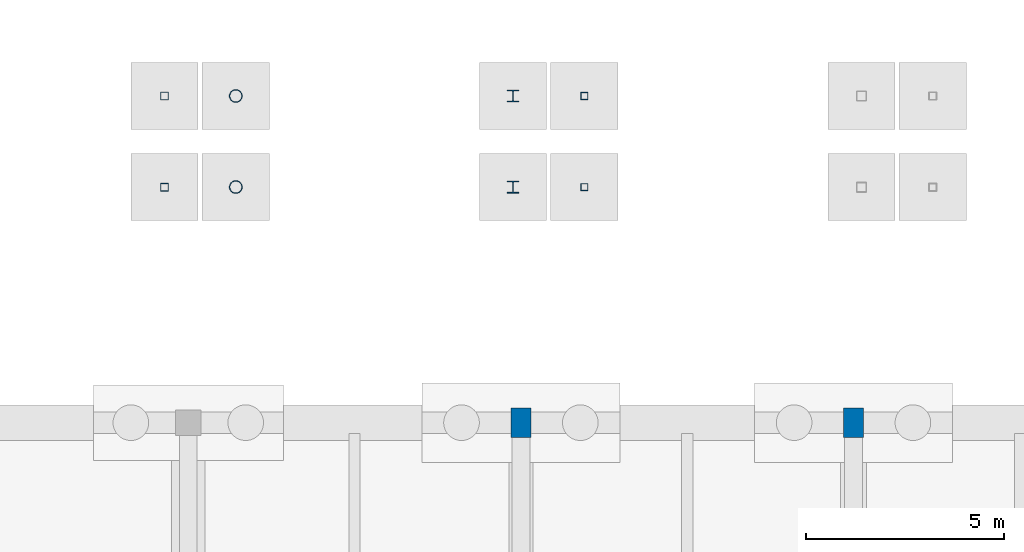
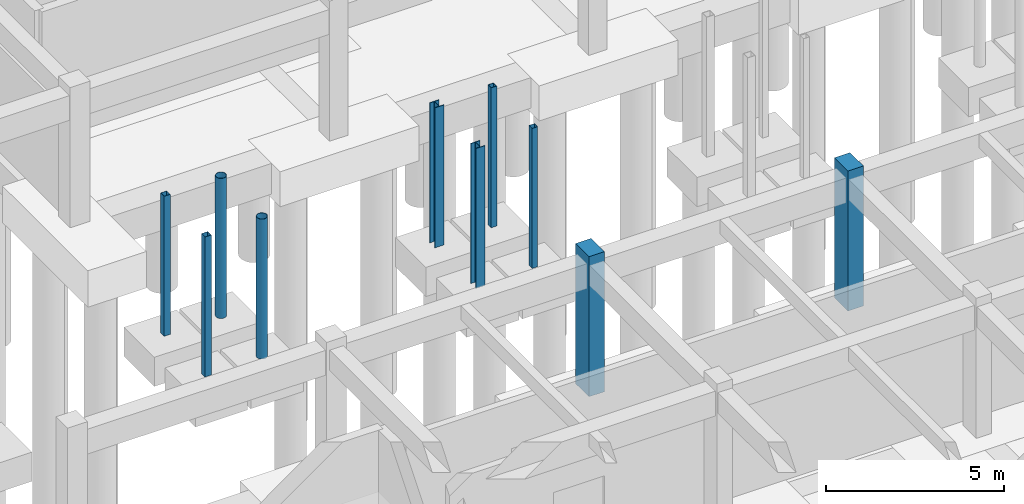
# One storey, part 18 of 80: 10 columns.
"""IFC4 building model written with IfcOpenShell, lengths in metres."""

from ifc_helpers import new_model, si_unit, direction, frame, origin, origin_2d, place, context, subcontext, project, spatial, rectangle, hollow_rectangle, hollow_circle, i_section, extrude, material, material_profile, profile_set, type_object, element, save


model = new_model("IFC4")

# Units and contexts
model_context = context("Model", 3, precision=1e-05, world=origin(), true_north=direction((0.0, 1.0)))
body_context = subcontext(model_context, "Body", "Model", "MODEL_VIEW")
ifc_project = project(units=[si_unit("LENGTHUNIT", "METRE"), si_unit("AREAUNIT", "SQUARE_METRE"), si_unit("VOLUMEUNIT", "CUBIC_METRE"), si_unit("PLANEANGLEUNIT", "RADIAN"), si_unit("MASSUNIT", "GRAM", prefix="KILO")], contexts=[model_context])

# Site, building, storey
site_placement = place(None, origin())
site = spatial("IfcSite", under=ifc_project, at=site_placement, CompositionType="ELEMENT")
building_placement = place(site_placement, origin())
building = spatial("IfcBuilding", under=site, at=building_placement, Name="Malvenik Polytechnic", CompositionType="ELEMENT")
storey_placement = place(building_placement, frame((0.0, 0.0, -4.800048828125)))
storey = spatial("IfcBuildingStorey", under=building, at=storey_placement, Name="B1", CompositionType="ELEMENT", Elevation=-4.800048828125)

# Columns
ifc_material_1 = material(Name="Concrete C35/45", Category="concrete")
ifc_material_profile_1 = material_profile(ifc_material_1, rectangle(XDim=0.5, YDim=0.75, at=origin_2d()), Name="RC COL 750x500")
ifc_profile_set_1 = profile_set([ifc_material_profile_1], Name="Concrete C35/45")
column_type_1 = type_object("IfcColumnType", Name="STR-COL-C-14", PredefinedType="COLUMN", material=ifc_profile_set_1)
for number, where, z_axis, x_axis, name in (
    (1, (42.0, 36.0, 0.0), (0.0, 0.0, 1.0), (1.0, 0.0, 0.0), "Column C-14 B1 (42.0,36.0)"),
    (2, (50.39990234375, 36.0, 0.0), (0.0, 0.0, 1.0), (1.0, 0.0, 0.0), "Column C-14 B1 (50.4,36.0)"),
):
    element("IfcColumn", number, at=place(storey_placement, frame(where, z_axis=z_axis, x_axis=x_axis)), inside=storey, type_object=column_type_1, Name=name, PredefinedType="COLUMN", context=body_context, shape_type="SweptSolid", body=[
        extrude(rectangle(XDim=0.5, YDim=0.75, at=origin_2d()), origin(), (0.0, 0.0, 1.0), 4.800048828125),
    ])
ifc_material_2 = material(Name="Steel S355J2H", Category="steel")
ifc_material_profile_2 = material_profile(ifc_material_2, hollow_rectangle(XDim=0.199951171875, YDim=0.199951171875, WallThickness=0.010009765625, at=origin_2d()), Name="SHS 200x200x10.0")
ifc_profile_set_2 = profile_set([ifc_material_profile_2], Name="Steel S355J2H")
column_type_2 = type_object("IfcColumnType", Name="STR-SCOL-SC-02", PredefinedType="COLUMN", material=ifc_profile_set_2)
for number, where, z_axis, x_axis, name in (
    (3, (33.0, 41.949951171875, 0.0), (0.0, 0.0, 1.0), (1.0, 0.0, 0.0), "Bridge-Ramp Support Column SC-02 B1"),
    (4, (33.0, 44.25, 0.0), (0.0, 0.0, 1.0), (1.0, 0.0, 0.0), "Bridge-Ramp Support Column SC-02 B1"),
):
    element("IfcColumn", number, at=place(storey_placement, frame(where, z_axis=z_axis, x_axis=x_axis)), inside=storey, type_object=column_type_2, Name=name, PredefinedType="COLUMN", context=body_context, shape_type="SweptSolid", body=[
        extrude(hollow_rectangle(XDim=0.199951171875, YDim=0.199951171875, WallThickness=0.010009765625, at=origin_2d()), origin(), (0.0, 0.0, 1.0), 4.800048828125),
    ])
ifc_material_profile_3 = material_profile(ifc_material_2, hollow_circle(Radius=0.161865234375, WallThickness=0.012451171875, at=origin_2d()), Name="CHS 323.9x12.5")
ifc_profile_set_3 = profile_set([ifc_material_profile_3], Name="Steel S355J2H")
column_type_3 = type_object("IfcColumnType", Name="STR-SCOL-SC-04", PredefinedType="COLUMN", material=ifc_profile_set_3)
for number, where, z_axis, x_axis, name in (
    (5, (34.800048828125, 41.949951171875, 0.0), (0.0, 0.0, 1.0), (1.0, 0.0, 0.0), "Bridge-Ramp Support Column SC-04 B1"),
    (6, (34.800048828125, 44.25, 0.0), (0.0, 0.0, 1.0), (1.0, 0.0, 0.0), "Bridge-Ramp Support Column SC-04 B1"),
):
    element("IfcColumn", number, at=place(storey_placement, frame(where, z_axis=z_axis, x_axis=x_axis)), inside=storey, type_object=column_type_3, Name=name, PredefinedType="COLUMN", context=body_context, shape_type="SweptSolid", body=[
        extrude(hollow_circle(Radius=0.161865234375, WallThickness=0.012451171875, at=origin_2d()), origin(), (0.0, 0.0, 1.0), 4.800048828125),
    ])
ifc_material_3 = material(Name="Steel S355", Category="steel")
ifc_material_profile_4 = material_profile(ifc_material_3, i_section(OverallWidth=0.300048828125, OverallDepth=0.300048828125, WebThickness=0.010986328125, FlangeThickness=0.01904296875, FilletRadius=0.027099609375, at=origin_2d()), Name="HEB 300")
ifc_profile_set_4 = profile_set([ifc_material_profile_4], Name="Steel S355")
column_type_4 = type_object("IfcColumnType", Name="STR-SCOL-SC-05", PredefinedType="COLUMN", material=ifc_profile_set_4)
for number, where, z_axis, x_axis, name in (
    (7, (41.800048828125, 41.949951171875, 0.0), (0.0, 0.0, 1.0), (1.0, 0.0, 0.0), "Bridge-Ramp Support Column SC-05 B1"),
    (8, (41.800048828125, 44.25, 0.0), (0.0, 0.0, 1.0), (1.0, 0.0, 0.0), "Bridge-Ramp Support Column SC-05 B1"),
):
    element("IfcColumn", number, at=place(storey_placement, frame(where, z_axis=z_axis, x_axis=x_axis)), inside=storey, type_object=column_type_4, Name=name, PredefinedType="COLUMN", context=body_context, shape_type="SweptSolid", body=[
        extrude(i_section(OverallWidth=0.300048828125, OverallDepth=0.300048828125, WebThickness=0.010986328125, FlangeThickness=0.01904296875, FilletRadius=0.027099609375, at=origin_2d()), origin(), (0.0, 0.0, 1.0), 4.800048828125),
    ])
ifc_material_profile_5 = material_profile(ifc_material_2, hollow_rectangle(XDim=0.179931640625, YDim=0.179931640625, WallThickness=0.008056640625, at=origin_2d()), Name="SHS 180x180x8.0")
ifc_profile_set_5 = profile_set([ifc_material_profile_5], Name="Steel S355J2H")
column_type_5 = type_object("IfcColumnType", Name="STR-SCOL-SC-06", PredefinedType="COLUMN", material=ifc_profile_set_5)
for number, where, z_axis, x_axis, name in (
    (9, (43.60009765625, 41.949951171875, 0.0), (0.0, 0.0, 1.0), (1.0, 0.0, 0.0), "Bridge-Ramp Support Column SC-06 B1"),
    (10, (43.60009765625, 44.25, 0.0), (0.0, 0.0, 1.0), (1.0, 0.0, 0.0), "Bridge-Ramp Support Column SC-06 B1"),
):
    element("IfcColumn", number, at=place(storey_placement, frame(where, z_axis=z_axis, x_axis=x_axis)), inside=storey, type_object=column_type_5, Name=name, PredefinedType="COLUMN", context=body_context, shape_type="SweptSolid", body=[
        extrude(hollow_rectangle(XDim=0.179931640625, YDim=0.179931640625, WallThickness=0.008056640625, at=origin_2d()), origin(), (0.0, 0.0, 1.0), 4.800048828125),
    ])

save(model, "model.ifc")
